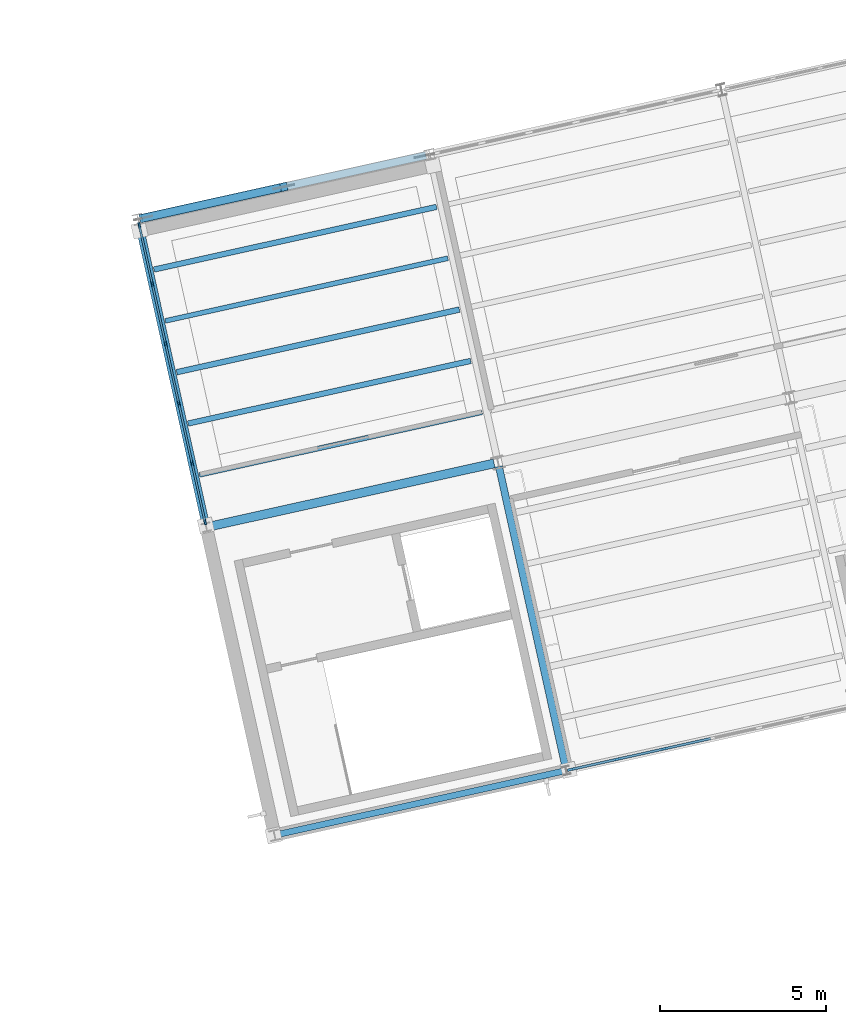
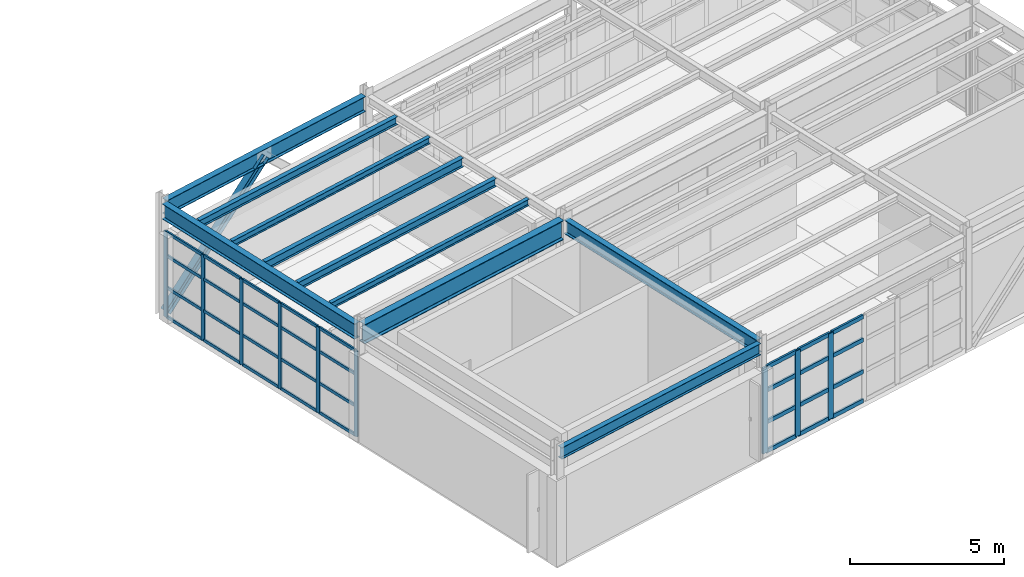
# One storey, part 28 of 59: 42 members, 10 beams, 2 elements without a shape of their own.
"""IFC4 building model written with IfcOpenShell, lengths in metres."""

from ifc_helpers import new_model, si_unit, direction, frame, origin, origin_2d, place, context, subcontext, project, spatial, rectangle, i_section, extrude, material, layer, layer_set, material_profile, profile_set, type_object, element, aggregate, save


model = new_model("IFC4")

# Units and contexts
model_context = context("Model", 3, precision=1e-05, world=origin(), true_north=direction((0.0, 1.0)))
body_context = subcontext(model_context, "Body", "Model", "MODEL_VIEW")
ifc_project = project(units=[si_unit("LENGTHUNIT", "METRE"), si_unit("AREAUNIT", "SQUARE_METRE"), si_unit("VOLUMEUNIT", "CUBIC_METRE"), si_unit("PLANEANGLEUNIT", "RADIAN"), si_unit("MASSUNIT", "GRAM", prefix="KILO")], contexts=[model_context])

# Site, building, storey
site_placement = place(None, origin())
site = spatial("IfcSite", under=ifc_project, at=site_placement, CompositionType="ELEMENT")
building_placement = place(site_placement, origin())
building = spatial("IfcBuilding", under=site, at=building_placement, Name="Vireo Bluff Cable Station", CompositionType="ELEMENT")
storey_placement = place(building_placement, frame((0.0, 0.0, 14.39990234375)))
storey = spatial("IfcBuildingStorey", under=building, at=storey_placement, Name="L03", CompositionType="ELEMENT", Elevation=14.39990234375)

# Beam
ifc_material_1 = material(Name="Steel ASTM A992 Gr. 50", Category="steel")
ifc_material_profile_1 = material_profile(ifc_material_1, i_section(OverallWidth=0.214111328125, OverallDepth=0.549072265625, WebThickness=0.0146484375, FlangeThickness=0.023681640625, FilletRadius=0.012939453125, at=origin_2d()), Name="W21X93")
ifc_profile_set_1 = profile_set([ifc_material_profile_1], Name="Steel ASTM A992 Gr. 50")
beam_type_1 = type_object("IfcBeamType", Name="BM-W21X93", PredefinedType="BEAM", material=ifc_profile_set_1)
beam_1_placement = place(storey_placement, frame((141.4912109375, 87.287841796875, 4.2255859375), z_axis=(-0.216430734067, 0.976297975698, 0.0), x_axis=(-0.976297975698, -0.216430734067, 0.0)))
element("IfcBeam", 1, at=beam_1_placement, inside=storey, type_object=beam_type_1, Name="V2 L03 beam 575", PredefinedType="BEAM", context=body_context, shape_type="SweptSolid", body=[
    extrude(i_section(OverallWidth=0.214111328125, OverallDepth=0.549072265625, WebThickness=0.0146484375, FlangeThickness=0.023681640625, FilletRadius=0.012939453125, at=origin_2d()), origin(), (0.0, 0.0, 1.0), 9.260009765625),
])

# Member
ifc_material_profile_2 = material_profile(ifc_material_1, i_section(OverallWidth=0.25390625, OverallDepth=0.305908203125, WebThickness=0.0087890625, FlangeThickness=0.0146484375, FilletRadius=0.010986328125, at=origin_2d()), Name="W12X53")
ifc_profile_set_2 = profile_set([ifc_material_profile_2], Name="Steel ASTM A992 Gr. 50")
member_type_1 = type_object("IfcMemberType", Name="BRC-04", PredefinedType="BRACE", material=ifc_profile_set_2)
member_1_placement = place(storey_placement, frame((128.7744140625, 103.80712890625, 0.0400390625), z_axis=(0.70641690538, 0.156588063094, 0.69025744059), x_axis=(-0.216412221259, 0.976302079528, 0.0)))
element("IfcMember", 2, at=member_1_placement, inside=storey, type_object=member_type_1, Name="V2 L03 concentric brace 45L", PredefinedType="BRACE", context=body_context, shape_type="SweptSolid", body=[
    extrude(i_section(OverallWidth=0.25390625, OverallDepth=0.305908203125, WebThickness=0.0087890625, FlangeThickness=0.0146484375, FilletRadius=0.010986328125, at=origin_2d()), origin(), (0.0, 0.0, 1.0), 5.998046875),
])

# Curtain wall, members
ifc_material_2 = material(Name="Anodized Aluminium 6063-T6", Category="aluminium")
ifc_layer_1 = layer(ifc_material_2, 0.179931640625, Name="Anodized Aluminium 6063-T6")
ifc_layer_set_1 = layer_set([ifc_layer_1], Name="Anodized Aluminium 6063-T6")
curtain_wall_type_1 = type_object("IfcCurtainWallType", Name="CW-UNIT-1500", PredefinedType="USERDEFINED", material=ifc_layer_set_1)
curtain_wall_1_placement = place(storey_placement, origin())
curtain_wall_1 = element("IfcCurtainWall", 3, at=curtain_wall_1_placement, inside=storey, type_object=curtain_wall_type_1, Name="V2 L03 south curtain wall CW-061", ObjectType="UNITISED CURTAIN WALL", PredefinedType="USERDEFINED")
ifc_material_profile_3 = material_profile(ifc_material_2, rectangle(XDim=0.074951171875, YDim=0.2099609375, at=origin_2d()), Name="ALU-M-75X210")
ifc_profile_set_3 = profile_set([ifc_material_profile_3], Name="Anodized Aluminium 6063-T6")
member_type_2 = type_object("IfcMemberType", Name="CWM-02", PredefinedType="MULLION", material=ifc_profile_set_3)
member_2_placement = place(storey_placement, frame((144.4716796875, 87.82568359375, 0.0), z_axis=(0.0, 0.0, 1.0), x_axis=(0.216439605844, -0.976296008914, 0.0)))
member_2 = element("IfcMember", 4, at=member_2_placement, type_object=member_type_2, Name="CW-061 mullion 5", PredefinedType="MULLION", context=body_context, shape_type="SweptSolid", body=[
    extrude(rectangle(XDim=0.074951171875, YDim=0.2099609375, at=origin_2d()), origin(), (0.0, 0.0, 1.0), 3.400146484375),
])
member_3_placement = place(storey_placement, frame((143.045166015625, 87.509521484375, 0.0), z_axis=(0.0, 0.0, 1.0), x_axis=(0.216439605844, -0.976296008914, 0.0)))
member_3 = element("IfcMember", 5, at=member_3_placement, type_object=member_type_2, Name="CW-061 mullion 6", PredefinedType="MULLION", context=body_context, shape_type="SweptSolid", body=[
    extrude(rectangle(XDim=0.074951171875, YDim=0.2099609375, at=origin_2d()), origin(), (0.0, 0.0, 1.0), 3.400146484375),
])
member_4_placement = place(storey_placement, frame((141.6552734375, 87.201416015625, 0.0), z_axis=(0.0, 0.0, 1.0), x_axis=(0.216439605844, -0.976296008914, 0.0)))
member_4 = element("IfcMember", 6, at=member_4_placement, type_object=member_type_2, Name="CW-061 mullion 7", PredefinedType="MULLION", context=body_context, shape_type="SweptSolid", body=[
    extrude(rectangle(XDim=0.074951171875, YDim=0.2099609375, at=origin_2d()), origin(), (0.0, 0.0, 1.0), 3.400146484375),
])

ifc_layer_2 = layer(ifc_material_2, 0.159912109375, Name="Anodized Aluminium 6063-T6")
ifc_layer_set_2 = layer_set([ifc_layer_2], Name="Anodized Aluminium 6063-T6")
curtain_wall_type_2 = type_object("IfcCurtainWallType", Name="CW-STICK-1750", PredefinedType="USERDEFINED", material=ifc_layer_set_2)
curtain_wall_2_placement = place(storey_placement, origin())
curtain_wall_2 = element("IfcCurtainWall", 7, at=curtain_wall_2_placement, inside=storey, type_object=curtain_wall_type_2, Name="V2 L03 west curtain wall CW-062", ObjectType="STICK CURTAIN WALL", PredefinedType="USERDEFINED")
ifc_material_profile_4 = material_profile(ifc_material_2, rectangle(XDim=0.06005859375, YDim=0.159912109375, at=origin_2d()), Name="ALU-M-60X160")
ifc_profile_set_4 = profile_set([ifc_material_profile_4], Name="Anodized Aluminium 6063-T6")
member_type_3 = type_object("IfcMemberType", Name="CWM-03", PredefinedType="MULLION", material=ifc_profile_set_4)
member_5_placement = place(storey_placement, frame((130.6396484375, 94.65380859375, 0.0), z_axis=(0.0, 0.0, 1.0), x_axis=(-0.976296005303, -0.216439622134, 0.0)))
member_5 = element("IfcMember", 8, at=member_5_placement, type_object=member_type_3, Name="CW-062 mullion 1", PredefinedType="MULLION", context=body_context, shape_type="SweptSolid", body=[
    extrude(rectangle(XDim=0.06005859375, YDim=0.159912109375, at=origin_2d()), origin(), (0.0, 0.0, 1.0), 3.400146484375),
])
member_6_placement = place(storey_placement, frame((130.247314453125, 96.423828125, 0.0), z_axis=(0.0, 0.0, 1.0), x_axis=(-0.976296005303, -0.216439622134, 0.0)))
member_6 = element("IfcMember", 9, at=member_6_placement, type_object=member_type_3, Name="CW-062 mullion 2", PredefinedType="MULLION", context=body_context, shape_type="SweptSolid", body=[
    extrude(rectangle(XDim=0.06005859375, YDim=0.159912109375, at=origin_2d()), origin(), (0.0, 0.0, 1.0), 3.400146484375),
])
member_7_placement = place(storey_placement, frame((129.848388671875, 98.222900390625, 0.0), z_axis=(0.0, 0.0, 1.0), x_axis=(-0.976296005303, -0.216439622134, 0.0)))
member_7 = element("IfcMember", 10, at=member_7_placement, type_object=member_type_3, Name="CW-062 mullion 3", PredefinedType="MULLION", context=body_context, shape_type="SweptSolid", body=[
    extrude(rectangle(XDim=0.06005859375, YDim=0.159912109375, at=origin_2d()), origin(), (0.0, 0.0, 1.0), 3.400146484375),
])
member_8_placement = place(storey_placement, frame((129.449462890625, 100.022216796875, 0.0), z_axis=(0.0, 0.0, 1.0), x_axis=(-0.976296005303, -0.216439622134, 0.0)))
member_8 = element("IfcMember", 11, at=member_8_placement, type_object=member_type_3, Name="CW-062 mullion 4", PredefinedType="MULLION", context=body_context, shape_type="SweptSolid", body=[
    extrude(rectangle(XDim=0.06005859375, YDim=0.159912109375, at=origin_2d()), origin(), (0.0, 0.0, 1.0), 3.400146484375),
])
member_9_placement = place(storey_placement, frame((129.05078125, 101.8212890625, 0.0), z_axis=(0.0, 0.0, 1.0), x_axis=(-0.976296005303, -0.216439622134, 0.0)))
member_9 = element("IfcMember", 12, at=member_9_placement, type_object=member_type_3, Name="CW-062 mullion 5", PredefinedType="MULLION", context=body_context, shape_type="SweptSolid", body=[
    extrude(rectangle(XDim=0.06005859375, YDim=0.159912109375, at=origin_2d()), origin(), (0.0, 0.0, 1.0), 3.400146484375),
])
member_10_placement = place(storey_placement, frame((128.658203125, 103.59130859375, 0.0), z_axis=(0.0, 0.0, 1.0), x_axis=(-0.976296005303, -0.216439622134, 0.0)))
member_10 = element("IfcMember", 13, at=member_10_placement, type_object=member_type_3, Name="CW-062 mullion 6", PredefinedType="MULLION", context=body_context, shape_type="SweptSolid", body=[
    extrude(rectangle(XDim=0.06005859375, YDim=0.159912109375, at=origin_2d()), origin(), (0.0, 0.0, 1.0), 3.400146484375),
])

# Member
ifc_material_profile_5 = material_profile(ifc_material_2, rectangle(XDim=0.074951171875, YDim=0.159912109375, at=origin_2d()), Name="ALU-T-75X160")
ifc_profile_set_5 = profile_set([ifc_material_profile_5], Name="Anodized Aluminium 6063-T6")
member_type_4 = type_object("IfcMemberType", Name="CWT-02", PredefinedType="USERDEFINED", material=ifc_profile_set_5)
member_11_placement = place(storey_placement, frame((145.861572265625, 88.1337890625, 0.03759765625), z_axis=(-0.97629055494, -0.216464205669, 0.0), x_axis=(0.216464205669, -0.97629055494, 0.0)))
member_11 = element("IfcMember", 14, at=member_11_placement, type_object=member_type_4, Name="CW-061 transom 4.1", ObjectType="TRANSOM", PredefinedType="USERDEFINED", context=body_context, shape_type="SweptSolid", body=[
    extrude(rectangle(XDim=0.074951171875, YDim=0.159912109375, at=origin_2d()), origin(), (0.0, 0.0, 1.0), 1.38623046875),
])

member_12_placement = place(storey_placement, frame((145.861572265625, 88.1337890625, 1.190185546875), z_axis=(-0.97629055494, -0.216464205669, 0.0), x_axis=(0.216464205669, -0.97629055494, 0.0)))
member_12 = element("IfcMember", 15, at=member_12_placement, type_object=member_type_4, Name="CW-061 transom 4.2", ObjectType="TRANSOM", PredefinedType="USERDEFINED", context=body_context, shape_type="SweptSolid", body=[
    extrude(rectangle(XDim=0.074951171875, YDim=0.159912109375, at=origin_2d()), origin(), (0.0, 0.0, 1.0), 1.38623046875),
])

member_13_placement = place(storey_placement, frame((145.861572265625, 88.1337890625, 2.447998046875), z_axis=(-0.97629055494, -0.216464205669, 0.0), x_axis=(0.216464205669, -0.97629055494, 0.0)))
member_13 = element("IfcMember", 16, at=member_13_placement, type_object=member_type_4, Name="CW-061 transom 4.3", ObjectType="TRANSOM", PredefinedType="USERDEFINED", context=body_context, shape_type="SweptSolid", body=[
    extrude(rectangle(XDim=0.074951171875, YDim=0.159912109375, at=origin_2d()), origin(), (0.0, 0.0, 1.0), 1.38623046875),
])

member_14_placement = place(storey_placement, frame((145.861572265625, 88.1337890625, 3.362548828125), z_axis=(-0.97629055494, -0.216464205669, 0.0), x_axis=(0.216464205669, -0.97629055494, 0.0)))
member_14 = element("IfcMember", 17, at=member_14_placement, type_object=member_type_4, Name="CW-061 transom 4.4", ObjectType="TRANSOM", PredefinedType="USERDEFINED", context=body_context, shape_type="SweptSolid", body=[
    extrude(rectangle(XDim=0.074951171875, YDim=0.159912109375, at=origin_2d()), origin(), (0.0, 0.0, 1.0), 1.38623046875),
])

member_15_placement = place(storey_placement, frame((144.43505859375, 87.817626953125, 0.03759765625), z_axis=(-0.97629055494, -0.216464205669, 0.0), x_axis=(0.216464205669, -0.97629055494, 0.0)))
member_15 = element("IfcMember", 18, at=member_15_placement, type_object=member_type_4, Name="CW-061 transom 5.1", ObjectType="TRANSOM", PredefinedType="USERDEFINED", context=body_context, shape_type="SweptSolid", body=[
    extrude(rectangle(XDim=0.074951171875, YDim=0.159912109375, at=origin_2d()), origin(), (0.0, 0.0, 1.0), 1.38623046875),
])

member_16_placement = place(storey_placement, frame((144.43505859375, 87.817626953125, 1.190185546875), z_axis=(-0.97629055494, -0.216464205669, 0.0), x_axis=(0.216464205669, -0.97629055494, 0.0)))
member_16 = element("IfcMember", 19, at=member_16_placement, type_object=member_type_4, Name="CW-061 transom 5.2", ObjectType="TRANSOM", PredefinedType="USERDEFINED", context=body_context, shape_type="SweptSolid", body=[
    extrude(rectangle(XDim=0.074951171875, YDim=0.159912109375, at=origin_2d()), origin(), (0.0, 0.0, 1.0), 1.38623046875),
])

member_17_placement = place(storey_placement, frame((144.43505859375, 87.817626953125, 2.447998046875), z_axis=(-0.97629055494, -0.216464205669, 0.0), x_axis=(0.216464205669, -0.97629055494, 0.0)))
member_17 = element("IfcMember", 20, at=member_17_placement, type_object=member_type_4, Name="CW-061 transom 5.3", ObjectType="TRANSOM", PredefinedType="USERDEFINED", context=body_context, shape_type="SweptSolid", body=[
    extrude(rectangle(XDim=0.074951171875, YDim=0.159912109375, at=origin_2d()), origin(), (0.0, 0.0, 1.0), 1.38623046875),
])

member_18_placement = place(storey_placement, frame((144.43505859375, 87.817626953125, 3.362548828125), z_axis=(-0.97629055494, -0.216464205669, 0.0), x_axis=(0.216464205669, -0.97629055494, 0.0)))
member_18 = element("IfcMember", 21, at=member_18_placement, type_object=member_type_4, Name="CW-061 transom 5.4", ObjectType="TRANSOM", PredefinedType="USERDEFINED", context=body_context, shape_type="SweptSolid", body=[
    extrude(rectangle(XDim=0.074951171875, YDim=0.159912109375, at=origin_2d()), origin(), (0.0, 0.0, 1.0), 1.38623046875),
])

member_19_placement = place(storey_placement, frame((143.008544921875, 87.50146484375, 0.03759765625), z_axis=(-0.976280677397, -0.216508750263, 0.0), x_axis=(0.216508750263, -0.976280677397, 0.0)))
member_19 = element("IfcMember", 22, at=member_19_placement, type_object=member_type_4, Name="CW-061 transom 6.1", ObjectType="TRANSOM", PredefinedType="USERDEFINED", context=body_context, shape_type="SweptSolid", body=[
    extrude(rectangle(XDim=0.074951171875, YDim=0.159912109375, at=origin_2d()), origin(), (0.0, 0.0, 1.0), 1.3486328125),
])

member_20_placement = place(storey_placement, frame((143.008544921875, 87.50146484375, 1.190185546875), z_axis=(-0.976280677397, -0.216508750263, 0.0), x_axis=(0.216508750263, -0.976280677397, 0.0)))
member_20 = element("IfcMember", 23, at=member_20_placement, type_object=member_type_4, Name="CW-061 transom 6.2", ObjectType="TRANSOM", PredefinedType="USERDEFINED", context=body_context, shape_type="SweptSolid", body=[
    extrude(rectangle(XDim=0.074951171875, YDim=0.159912109375, at=origin_2d()), origin(), (0.0, 0.0, 1.0), 1.3486328125),
])

member_21_placement = place(storey_placement, frame((143.008544921875, 87.50146484375, 2.447998046875), z_axis=(-0.976280677397, -0.216508750263, 0.0), x_axis=(0.216508750263, -0.976280677397, 0.0)))
member_21 = element("IfcMember", 24, at=member_21_placement, type_object=member_type_4, Name="CW-061 transom 6.3", ObjectType="TRANSOM", PredefinedType="USERDEFINED", context=body_context, shape_type="SweptSolid", body=[
    extrude(rectangle(XDim=0.074951171875, YDim=0.159912109375, at=origin_2d()), origin(), (0.0, 0.0, 1.0), 1.3486328125),
])

member_22_placement = place(storey_placement, frame((143.008544921875, 87.50146484375, 3.362548828125), z_axis=(-0.976280677397, -0.216508750263, 0.0), x_axis=(0.216508750263, -0.976280677397, 0.0)))
member_22 = element("IfcMember", 25, at=member_22_placement, type_object=member_type_4, Name="CW-061 transom 6.4", ObjectType="TRANSOM", PredefinedType="USERDEFINED", context=body_context, shape_type="SweptSolid", body=[
    extrude(rectangle(XDim=0.074951171875, YDim=0.159912109375, at=origin_2d()), origin(), (0.0, 0.0, 1.0), 1.3486328125),
])

aggregate(curtain_wall_1, [member_2, member_3, member_4, member_11, member_12, member_13, member_14, member_15, member_16, member_17, member_18, member_19, member_20, member_21, member_22])

ifc_material_profile_6 = material_profile(ifc_material_2, rectangle(XDim=0.06005859375, YDim=0.1201171875, at=origin_2d()), Name="ALU-T-60X120")
ifc_profile_set_6 = profile_set([ifc_material_profile_6], Name="Anodized Aluminium 6063-T6")
member_type_5 = type_object("IfcMemberType", Name="CWT-03", PredefinedType="USERDEFINED", material=ifc_profile_set_6)
member_23_placement = place(storey_placement, frame((130.63330078125, 94.68310546875, 0.030029296875), z_axis=(-0.216429049169, 0.976298349213, 0.0), x_axis=(-0.976298349213, -0.216429049169, 0.0)))
member_23 = element("IfcMember", 26, at=member_23_placement, type_object=member_type_5, Name="CW-062 transom 1.1", ObjectType="TRANSOM", PredefinedType="USERDEFINED", context=body_context, shape_type="SweptSolid", body=[
    extrude(rectangle(XDim=0.06005859375, YDim=0.1201171875, at=origin_2d()), origin(), (0.0, 0.0, 1.0), 1.7529296875),
])

member_24_placement = place(storey_placement, frame((130.63330078125, 94.68310546875, 1.190185546875), z_axis=(-0.216429049169, 0.976298349213, 0.0), x_axis=(-0.976298349213, -0.216429049169, 0.0)))
member_24 = element("IfcMember", 27, at=member_24_placement, type_object=member_type_5, Name="CW-062 transom 1.2", ObjectType="TRANSOM", PredefinedType="USERDEFINED", context=body_context, shape_type="SweptSolid", body=[
    extrude(rectangle(XDim=0.06005859375, YDim=0.1201171875, at=origin_2d()), origin(), (0.0, 0.0, 1.0), 1.7529296875),
])

member_25_placement = place(storey_placement, frame((130.63330078125, 94.68310546875, 2.447998046875), z_axis=(-0.216429049169, 0.976298349213, 0.0), x_axis=(-0.976298349213, -0.216429049169, 0.0)))
member_25 = element("IfcMember", 28, at=member_25_placement, type_object=member_type_5, Name="CW-062 transom 1.3", ObjectType="TRANSOM", PredefinedType="USERDEFINED", context=body_context, shape_type="SweptSolid", body=[
    extrude(rectangle(XDim=0.06005859375, YDim=0.1201171875, at=origin_2d()), origin(), (0.0, 0.0, 1.0), 1.7529296875),
])

member_26_placement = place(storey_placement, frame((130.63330078125, 94.68310546875, 3.3701171875), z_axis=(-0.216429049169, 0.976298349213, 0.0), x_axis=(-0.976298349213, -0.216429049169, 0.0)))
member_26 = element("IfcMember", 29, at=member_26_placement, type_object=member_type_5, Name="CW-062 transom 1.4", ObjectType="TRANSOM", PredefinedType="USERDEFINED", context=body_context, shape_type="SweptSolid", body=[
    extrude(rectangle(XDim=0.06005859375, YDim=0.1201171875, at=origin_2d()), origin(), (0.0, 0.0, 1.0), 1.7529296875),
])

member_27_placement = place(storey_placement, frame((130.24072265625, 96.453125, 0.030029296875), z_axis=(-0.216379404969, 0.976309353179, 0.0), x_axis=(-0.976309353179, -0.216379404969, 0.0)))
member_27 = element("IfcMember", 30, at=member_27_placement, type_object=member_type_5, Name="CW-062 transom 2.1", ObjectType="TRANSOM", PredefinedType="USERDEFINED", context=body_context, shape_type="SweptSolid", body=[
    extrude(rectangle(XDim=0.06005859375, YDim=0.1201171875, at=origin_2d()), origin(), (0.0, 0.0, 1.0), 1.78271484375),
])

member_28_placement = place(storey_placement, frame((130.24072265625, 96.453125, 1.190185546875), z_axis=(-0.216379404969, 0.976309353179, 0.0), x_axis=(-0.976309353179, -0.216379404969, 0.0)))
member_28 = element("IfcMember", 31, at=member_28_placement, type_object=member_type_5, Name="CW-062 transom 2.2", ObjectType="TRANSOM", PredefinedType="USERDEFINED", context=body_context, shape_type="SweptSolid", body=[
    extrude(rectangle(XDim=0.06005859375, YDim=0.1201171875, at=origin_2d()), origin(), (0.0, 0.0, 1.0), 1.78271484375),
])

member_29_placement = place(storey_placement, frame((130.24072265625, 96.453125, 2.447998046875), z_axis=(-0.216379404969, 0.976309353179, 0.0), x_axis=(-0.976309353179, -0.216379404969, 0.0)))
member_29 = element("IfcMember", 32, at=member_29_placement, type_object=member_type_5, Name="CW-062 transom 2.3", ObjectType="TRANSOM", PredefinedType="USERDEFINED", context=body_context, shape_type="SweptSolid", body=[
    extrude(rectangle(XDim=0.06005859375, YDim=0.1201171875, at=origin_2d()), origin(), (0.0, 0.0, 1.0), 1.78271484375),
])

member_30_placement = place(storey_placement, frame((130.24072265625, 96.453125, 3.3701171875), z_axis=(-0.216379404969, 0.976309353179, 0.0), x_axis=(-0.976309353179, -0.216379404969, 0.0)))
member_30 = element("IfcMember", 33, at=member_30_placement, type_object=member_type_5, Name="CW-062 transom 2.4", ObjectType="TRANSOM", PredefinedType="USERDEFINED", context=body_context, shape_type="SweptSolid", body=[
    extrude(rectangle(XDim=0.06005859375, YDim=0.1201171875, at=origin_2d()), origin(), (0.0, 0.0, 1.0), 1.78271484375),
])

member_31_placement = place(storey_placement, frame((129.842041015625, 98.252197265625, 0.030029296875), z_axis=(-0.216480993318, 0.976286832612, 0.0), x_axis=(-0.976286832612, -0.216480993318, 0.0)))
member_31 = element("IfcMember", 34, at=member_31_placement, type_object=member_type_5, Name="CW-062 transom 3.1", ObjectType="TRANSOM", PredefinedType="USERDEFINED", context=body_context, shape_type="SweptSolid", body=[
    extrude(rectangle(XDim=0.06005859375, YDim=0.1201171875, at=origin_2d()), origin(), (0.0, 0.0, 1.0), 1.782958984375),
])

member_32_placement = place(storey_placement, frame((129.842041015625, 98.252197265625, 1.190185546875), z_axis=(-0.216480993318, 0.976286832612, 0.0), x_axis=(-0.976286832612, -0.216480993318, 0.0)))
member_32 = element("IfcMember", 35, at=member_32_placement, type_object=member_type_5, Name="CW-062 transom 3.2", ObjectType="TRANSOM", PredefinedType="USERDEFINED", context=body_context, shape_type="SweptSolid", body=[
    extrude(rectangle(XDim=0.06005859375, YDim=0.1201171875, at=origin_2d()), origin(), (0.0, 0.0, 1.0), 1.782958984375),
])

member_33_placement = place(storey_placement, frame((129.842041015625, 98.252197265625, 2.447998046875), z_axis=(-0.216480993318, 0.976286832612, 0.0), x_axis=(-0.976286832612, -0.216480993318, 0.0)))
member_33 = element("IfcMember", 36, at=member_33_placement, type_object=member_type_5, Name="CW-062 transom 3.3", ObjectType="TRANSOM", PredefinedType="USERDEFINED", context=body_context, shape_type="SweptSolid", body=[
    extrude(rectangle(XDim=0.06005859375, YDim=0.1201171875, at=origin_2d()), origin(), (0.0, 0.0, 1.0), 1.782958984375),
])

member_34_placement = place(storey_placement, frame((129.842041015625, 98.252197265625, 3.3701171875), z_axis=(-0.216480993318, 0.976286832612, 0.0), x_axis=(-0.976286832612, -0.216480993318, 0.0)))
member_34 = element("IfcMember", 37, at=member_34_placement, type_object=member_type_5, Name="CW-062 transom 3.4", ObjectType="TRANSOM", PredefinedType="USERDEFINED", context=body_context, shape_type="SweptSolid", body=[
    extrude(rectangle(XDim=0.06005859375, YDim=0.1201171875, at=origin_2d()), origin(), (0.0, 0.0, 1.0), 1.782958984375),
])

member_35_placement = place(storey_placement, frame((129.443115234375, 100.051513671875, 0.030029296875), z_axis=(-0.216509936198, 0.976280414393, 0.0), x_axis=(-0.976280414393, -0.216509936198, 0.0)))
member_35 = element("IfcMember", 38, at=member_35_placement, type_object=member_type_5, Name="CW-062 transom 4.1", ObjectType="TRANSOM", PredefinedType="USERDEFINED", context=body_context, shape_type="SweptSolid", body=[
    extrude(rectangle(XDim=0.06005859375, YDim=0.1201171875, at=origin_2d()), origin(), (0.0, 0.0, 1.0), 1.78271484375),
])

member_36_placement = place(storey_placement, frame((129.443115234375, 100.051513671875, 1.190185546875), z_axis=(-0.216509936198, 0.976280414393, 0.0), x_axis=(-0.976280414393, -0.216509936198, 0.0)))
member_36 = element("IfcMember", 39, at=member_36_placement, type_object=member_type_5, Name="CW-062 transom 4.2", ObjectType="TRANSOM", PredefinedType="USERDEFINED", context=body_context, shape_type="SweptSolid", body=[
    extrude(rectangle(XDim=0.06005859375, YDim=0.1201171875, at=origin_2d()), origin(), (0.0, 0.0, 1.0), 1.78271484375),
])

member_37_placement = place(storey_placement, frame((129.443115234375, 100.051513671875, 2.447998046875), z_axis=(-0.216509936198, 0.976280414393, 0.0), x_axis=(-0.976280414393, -0.216509936198, 0.0)))
member_37 = element("IfcMember", 40, at=member_37_placement, type_object=member_type_5, Name="CW-062 transom 4.3", ObjectType="TRANSOM", PredefinedType="USERDEFINED", context=body_context, shape_type="SweptSolid", body=[
    extrude(rectangle(XDim=0.06005859375, YDim=0.1201171875, at=origin_2d()), origin(), (0.0, 0.0, 1.0), 1.78271484375),
])

member_38_placement = place(storey_placement, frame((129.443115234375, 100.051513671875, 3.3701171875), z_axis=(-0.216509936198, 0.976280414393, 0.0), x_axis=(-0.976280414393, -0.216509936198, 0.0)))
member_38 = element("IfcMember", 41, at=member_38_placement, type_object=member_type_5, Name="CW-062 transom 4.4", ObjectType="TRANSOM", PredefinedType="USERDEFINED", context=body_context, shape_type="SweptSolid", body=[
    extrude(rectangle(XDim=0.06005859375, YDim=0.1201171875, at=origin_2d()), origin(), (0.0, 0.0, 1.0), 1.78271484375),
])

member_39_placement = place(storey_placement, frame((129.044189453125, 101.8505859375, 0.030029296875), z_axis=(-0.216429049169, 0.976298349213, 0.0), x_axis=(-0.976298349213, -0.216429049169, 0.0)))
member_39 = element("IfcMember", 42, at=member_39_placement, type_object=member_type_5, Name="CW-062 transom 5.1", ObjectType="TRANSOM", PredefinedType="USERDEFINED", context=body_context, shape_type="SweptSolid", body=[
    extrude(rectangle(XDim=0.06005859375, YDim=0.1201171875, at=origin_2d()), origin(), (0.0, 0.0, 1.0), 1.7529296875),
])

member_40_placement = place(storey_placement, frame((129.044189453125, 101.8505859375, 1.190185546875), z_axis=(-0.216429049169, 0.976298349213, 0.0), x_axis=(-0.976298349213, -0.216429049169, 0.0)))
member_40 = element("IfcMember", 43, at=member_40_placement, type_object=member_type_5, Name="CW-062 transom 5.2", ObjectType="TRANSOM", PredefinedType="USERDEFINED", context=body_context, shape_type="SweptSolid", body=[
    extrude(rectangle(XDim=0.06005859375, YDim=0.1201171875, at=origin_2d()), origin(), (0.0, 0.0, 1.0), 1.7529296875),
])

member_41_placement = place(storey_placement, frame((129.044189453125, 101.8505859375, 2.447998046875), z_axis=(-0.216429049169, 0.976298349213, 0.0), x_axis=(-0.976298349213, -0.216429049169, 0.0)))
member_41 = element("IfcMember", 44, at=member_41_placement, type_object=member_type_5, Name="CW-062 transom 5.3", ObjectType="TRANSOM", PredefinedType="USERDEFINED", context=body_context, shape_type="SweptSolid", body=[
    extrude(rectangle(XDim=0.06005859375, YDim=0.1201171875, at=origin_2d()), origin(), (0.0, 0.0, 1.0), 1.7529296875),
])

member_42_placement = place(storey_placement, frame((129.044189453125, 101.8505859375, 3.3701171875), z_axis=(-0.216429049169, 0.976298349213, 0.0), x_axis=(-0.976298349213, -0.216429049169, 0.0)))
member_42 = element("IfcMember", 45, at=member_42_placement, type_object=member_type_5, Name="CW-062 transom 5.4", ObjectType="TRANSOM", PredefinedType="USERDEFINED", context=body_context, shape_type="SweptSolid", body=[
    extrude(rectangle(XDim=0.06005859375, YDim=0.1201171875, at=origin_2d()), origin(), (0.0, 0.0, 1.0), 1.7529296875),
])

aggregate(curtain_wall_2, [member_5, member_6, member_7, member_8, member_9, member_10, member_23, member_24, member_25, member_26, member_27, member_28, member_29, member_30, member_31, member_32, member_33, member_34, member_35, member_36, member_37, member_38, member_39, member_40, member_41, member_42])

# Beams
ifc_material_profile_7 = material_profile(ifc_material_1, i_section(OverallWidth=0.26708984375, OverallDepth=0.77001953125, WebThickness=0.015625, FlangeThickness=0.025390625, FilletRadius=0.01611328125, at=origin_2d()), Name="W30X132")
ifc_profile_set_7 = profile_set([ifc_material_profile_7], Name="Steel ASTM A992 Gr. 50")
beam_type_2 = type_object("IfcBeamType", Name="GIR-W30X132", PredefinedType="USERDEFINED", material=ifc_profile_set_7)
beam_2_placement = place(storey_placement, frame((130.79150390625, 94.5234375, 4.114990234375), z_axis=(0.976289905703, 0.216467133817, 0.0), x_axis=(-0.216467133817, 0.976289905703, 0.0)))
element("IfcBeam", 46, at=beam_2_placement, inside=storey, type_object=beam_type_2, Name="V2 L03 girder 567", ObjectType="GIRDER", PredefinedType="USERDEFINED", context=body_context, shape_type="SweptSolid", body=[
    extrude(i_section(OverallWidth=0.26708984375, OverallDepth=0.77001953125, WebThickness=0.015625, FlangeThickness=0.025390625, FilletRadius=0.01611328125, at=origin_2d()), origin(), (0.0, 0.0, 1.0), 8.760009765625),
])
ifc_material_profile_8 = material_profile(ifc_material_1, i_section(OverallWidth=0.14599609375, OverallDepth=0.259033203125, WebThickness=0.006103515625, FlangeThickness=0.009033203125, FilletRadius=0.009033203125, at=origin_2d()), Name="W10X22")
ifc_profile_set_8 = profile_set([ifc_material_profile_8], Name="Steel ASTM A992 Gr. 50")
beam_type_3 = type_object("IfcBeamType", Name="JST-W10X22", PredefinedType="JOIST", material=ifc_profile_set_8)
for number, where, z_axis, x_axis, name in (
    (47, (130.46826171875, 96.07373046875, 4.37060546875), (0.976300234484, 0.216420544652, 0.0), (-0.216420544652, 0.976300234484, 0.0), "V2 L03 composite joist 581"),
    (48, (129.440185546875, 100.711181640625, 4.37060546875), (0.976300234484, 0.216420544652, 0.0), (-0.216420544652, 0.976300234484, 0.0), "V2 L03 composite joist 584"),
):
    element("IfcBeam", number, at=place(storey_placement, frame(where, z_axis=z_axis, x_axis=x_axis)), inside=storey, type_object=beam_type_3, Name=name, PredefinedType="JOIST", context=body_context, shape_type="SweptSolid", body=[
        extrude(i_section(OverallWidth=0.14599609375, OverallDepth=0.259033203125, WebThickness=0.006103515625, FlangeThickness=0.009033203125, FilletRadius=0.009033203125, at=origin_2d()), origin(), (0.0, 0.0, 1.0), 8.719970703125),
    ])
ifc_material_profile_9 = material_profile(ifc_material_1, i_section(OverallWidth=0.1650390625, OverallDepth=0.31005859375, WebThickness=0.005859375, FlangeThickness=0.009765625, FilletRadius=0.010009765625, at=origin_2d()), Name="W12X26")
ifc_profile_set_9 = profile_set([ifc_material_profile_9], Name="Steel ASTM A992 Gr. 50")
beam_type_4 = type_object("IfcBeamType", Name="JST-W12X26", PredefinedType="JOIST", material=ifc_profile_set_9)
for number, where, z_axis, x_axis, name in (
    (49, (130.12548828125, 97.619384765625, 4.34521484375), (0.976294318526, 0.216447230551, 0.0), (-0.216447230551, 0.976294318526, 0.0), "V2 L03 composite joist 582"),
    (50, (129.097412109375, 102.2568359375, 4.34521484375), (0.976294318526, 0.216447230551, 0.0), (-0.216447230551, 0.976294318526, 0.0), "V2 L03 composite joist 585"),
):
    element("IfcBeam", number, at=place(storey_placement, frame(where, z_axis=z_axis, x_axis=x_axis)), inside=storey, type_object=beam_type_4, Name=name, PredefinedType="JOIST", context=body_context, shape_type="SweptSolid", body=[
        extrude(i_section(OverallWidth=0.1650390625, OverallDepth=0.31005859375, WebThickness=0.005859375, FlangeThickness=0.009765625, FilletRadius=0.010009765625, at=origin_2d()), origin(), (0.0, 0.0, 1.0), 8.72021484375),
    ])
ifc_material_profile_10 = material_profile(ifc_material_1, i_section(OverallWidth=0.1708984375, OverallDepth=0.35107421875, WebThickness=0.0068359375, FlangeThickness=0.009765625, FilletRadius=0.010009765625, at=origin_2d()), Name="W14X30")
ifc_profile_set_10 = profile_set([ifc_material_profile_10], Name="Steel ASTM A992 Gr. 50")
beam_type_5 = type_object("IfcBeamType", Name="JST-W14X30", PredefinedType="JOIST", material=ifc_profile_set_10)
beam_3_placement = place(storey_placement, frame((129.782958984375, 99.165283203125, 4.32470703125), z_axis=(0.976293006815, 0.216453146994, 0.0), x_axis=(-0.216453146994, 0.976293006815, 0.0)))
element("IfcBeam", 51, at=beam_3_placement, inside=storey, type_object=beam_type_5, Name="V2 L03 composite joist 583", PredefinedType="JOIST", context=body_context, shape_type="SweptSolid", body=[
    extrude(i_section(OverallWidth=0.1708984375, OverallDepth=0.35107421875, WebThickness=0.0068359375, FlangeThickness=0.009765625, FilletRadius=0.010009765625, at=origin_2d()), origin(), (0.0, 0.0, 1.0), 8.719970703125),
])
ifc_material_profile_11 = material_profile(ifc_material_1, i_section(OverallWidth=0.19091796875, OverallDepth=0.45703125, WebThickness=0.009033203125, FlangeThickness=0.014404296875, FilletRadius=0.011962890625, at=origin_2d()), Name="W18X50")
ifc_profile_set_11 = profile_set([ifc_material_profile_11], Name="Steel ASTM A992 Gr. 50")
beam_type_6 = type_object("IfcBeamType", Name="SPN-W18X50", PredefinedType="SPANDREL", material=ifc_profile_set_11)
beam_4_placement = place(storey_placement, frame((132.84765625, 85.248779296875, 4.271484375), z_axis=(0.976295795297, 0.216440569406, 0.0), x_axis=(-0.216440569406, 0.976295795297, 0.0)))
element("IfcBeam", 52, at=beam_4_placement, inside=storey, type_object=beam_type_6, Name="V2 L03 spandrel 564", PredefinedType="SPANDREL", context=body_context, shape_type="SweptSolid", body=[
    extrude(i_section(OverallWidth=0.19091796875, OverallDepth=0.45703125, WebThickness=0.009033203125, FlangeThickness=0.014404296875, FilletRadius=0.011962890625, at=origin_2d()), origin(), (0.0, 0.0, 1.0), 8.760009765625),
])
ifc_material_profile_12 = material_profile(ifc_material_1, i_section(OverallWidth=0.22802734375, OverallDepth=0.60693359375, WebThickness=0.01123046875, FlangeThickness=0.017333984375, FilletRadius=0.012939453125, at=origin_2d()), Name="W24X76")
ifc_profile_set_12 = profile_set([ifc_material_profile_12], Name="Steel ASTM A992 Gr. 50")
beam_type_7 = type_object("IfcBeamType", Name="SPN-W24X76", PredefinedType="SPANDREL", material=ifc_profile_set_12)
beam_5_placement = place(storey_placement, frame((128.7353515625, 103.79833984375, 4.196533203125), z_axis=(0.976295795297, 0.216440569406, 0.0), x_axis=(-0.216440569406, 0.976295795297, 0.0)))
element("IfcBeam", 53, at=beam_5_placement, inside=storey, type_object=beam_type_7, Name="V2 L03 spandrel 570", PredefinedType="SPANDREL", context=body_context, shape_type="SweptSolid", body=[
    extrude(i_section(OverallWidth=0.22802734375, OverallDepth=0.60693359375, WebThickness=0.01123046875, FlangeThickness=0.017333984375, FilletRadius=0.012939453125, at=origin_2d()), origin(), (0.0, 0.0, 1.0), 8.760009765625),
])
beam_6_placement = place(storey_placement, frame((130.6484375, 94.61474609375, 4.196533203125), z_axis=(-0.216455863908, 0.976292404447, 0.0), x_axis=(-0.976292404447, -0.216455863908, 0.0)))
element("IfcBeam", 54, at=beam_6_placement, inside=storey, type_object=beam_type_7, Name="V2 L03 spandrel 574", PredefinedType="SPANDREL", context=body_context, shape_type="SweptSolid", body=[
    extrude(i_section(OverallWidth=0.22802734375, OverallDepth=0.60693359375, WebThickness=0.01123046875, FlangeThickness=0.017333984375, FilletRadius=0.012939453125, at=origin_2d()), origin(), (0.0, 0.0, 1.0), 9.260009765625),
])

save(model, "model.ifc")
